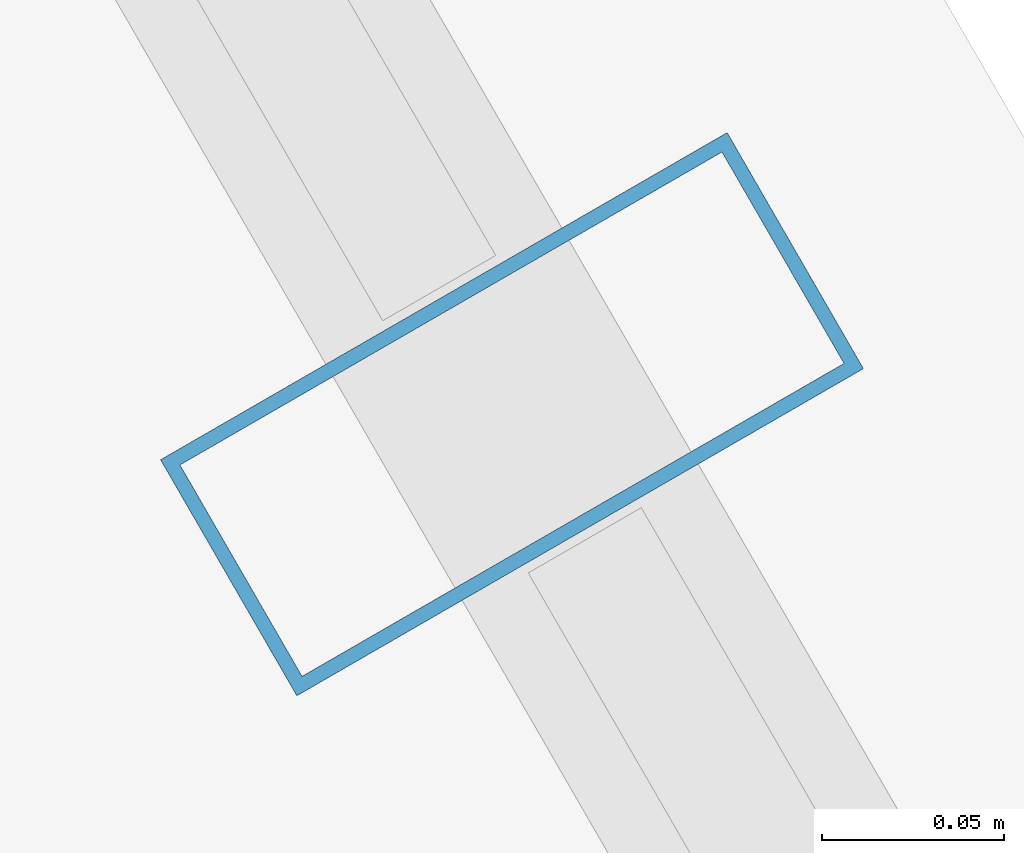
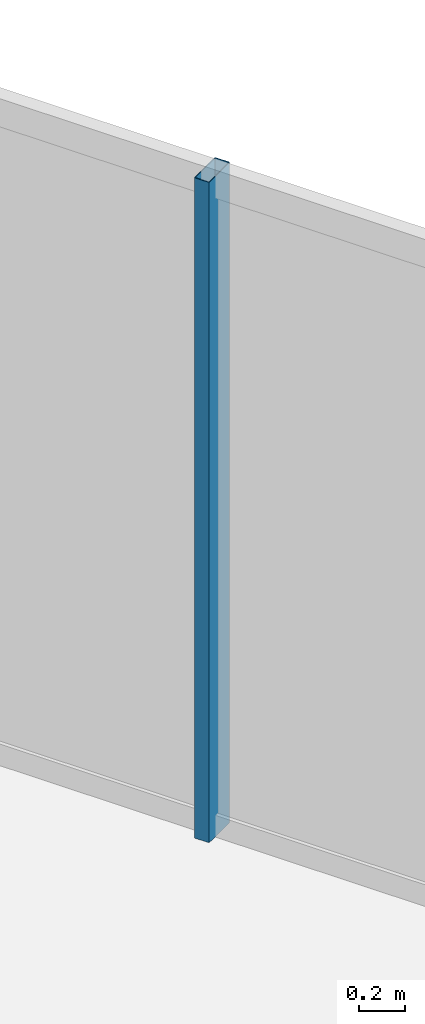
# One storey, part 27 of 35: 1 member, 1 element without a shape of its own.
"""IFC4 building model written with IfcOpenShell, lengths in metres."""

from ifc_helpers import new_model, si_unit, direction, frame, origin, origin_2d, place, context, subcontext, project, spatial, hollow_rectangle, extrude, material, layer, layer_set, material_profile, profile_set, type_object, element, aggregate, save


model = new_model("IFC4")

# Units and contexts
model_context = context("Model", 3, precision=1e-05, world=origin(), true_north=direction((0.0, 1.0)))
body_context = subcontext(model_context, "Body", "Model", "MODEL_VIEW")
ifc_project = project(units=[si_unit("LENGTHUNIT", "METRE"), si_unit("AREAUNIT", "SQUARE_METRE"), si_unit("VOLUMEUNIT", "CUBIC_METRE"), si_unit("PLANEANGLEUNIT", "RADIAN"), si_unit("MASSUNIT", "GRAM", prefix="KILO")], contexts=[model_context])

# Site, building, storey
site_placement = place(None, origin())
site = spatial("IfcSite", under=ifc_project, at=site_placement, CompositionType="ELEMENT")
building_placement = place(site_placement, origin())
building = spatial("IfcBuilding", under=site, at=building_placement, Name="Ndaravel Arena Tower", CompositionType="ELEMENT")
storey_placement = place(building_placement, frame((0.0, 0.0, 275.0)))
storey = spatial("IfcBuildingStorey", under=building, at=storey_placement, Name="L67", CompositionType="ELEMENT", Elevation=275.0)

# Curtain wall, member
ifc_material_1 = material(Name="Aluminium", Category="aluminium")
ifc_layer = layer(ifc_material_1, 0.179931640625)
ifc_layer_set = layer_set([ifc_layer], Name="Aluminium")
curtain_wall_type = type_object("IfcCurtainWallType", Name="CW-SYS-03", PredefinedType="NOTDEFINED", material=ifc_layer_set)
curtain_wall_placement = place(storey_placement, origin())
curtain_wall = element("IfcCurtainWall", 1, at=curtain_wall_placement, inside=storey, type_object=curtain_wall_type, Name="L67 Faceted Crystal Curtain Wall CW-L67-E03", PredefinedType="NOTDEFINED")
ifc_material_2 = material(Name="Aluminium", Category="aluminium")
ifc_material_profile = material_profile(ifc_material_2, hollow_rectangle(XDim=0.074951171875, YDim=0.179931640625, WallThickness=0.00390625, at=origin_2d()), Name="CW MULLION 75x180x4")
ifc_profile_set = profile_set([ifc_material_profile], Name="Aluminium")
member_type = type_object("IfcMemberType", Name="MEM-CW-MUL180", PredefinedType="MULLION", material=ifc_profile_set)
member_placement = place(storey_placement, frame((53.41552734375, 28.7734375, 0.0), z_axis=(0.0, 0.0, 1.0), x_axis=(-0.5, 0.866025403784, 0.0)))
member = element("IfcMember", 2, at=member_placement, type_object=member_type, Name="CW-L67-E03 Mullion 05", PredefinedType="MULLION", context=body_context, shape_type="SweptSolid", body=[
    extrude(hollow_rectangle(XDim=0.074951171875, YDim=0.179931640625, WallThickness=0.00390625, at=origin_2d()), origin(), (0.0, 0.0, 1.0), 3.52001953125),
])
aggregate(curtain_wall, [member])

save(model, "model.ifc")
